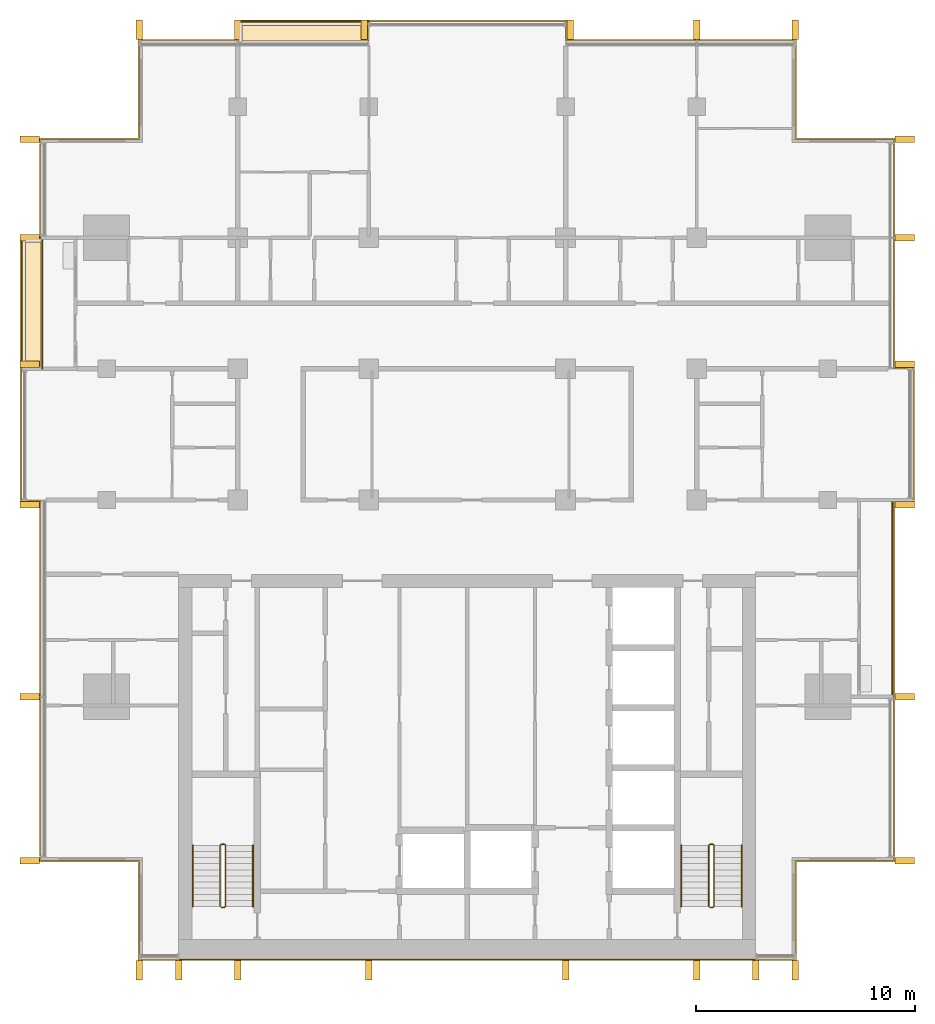
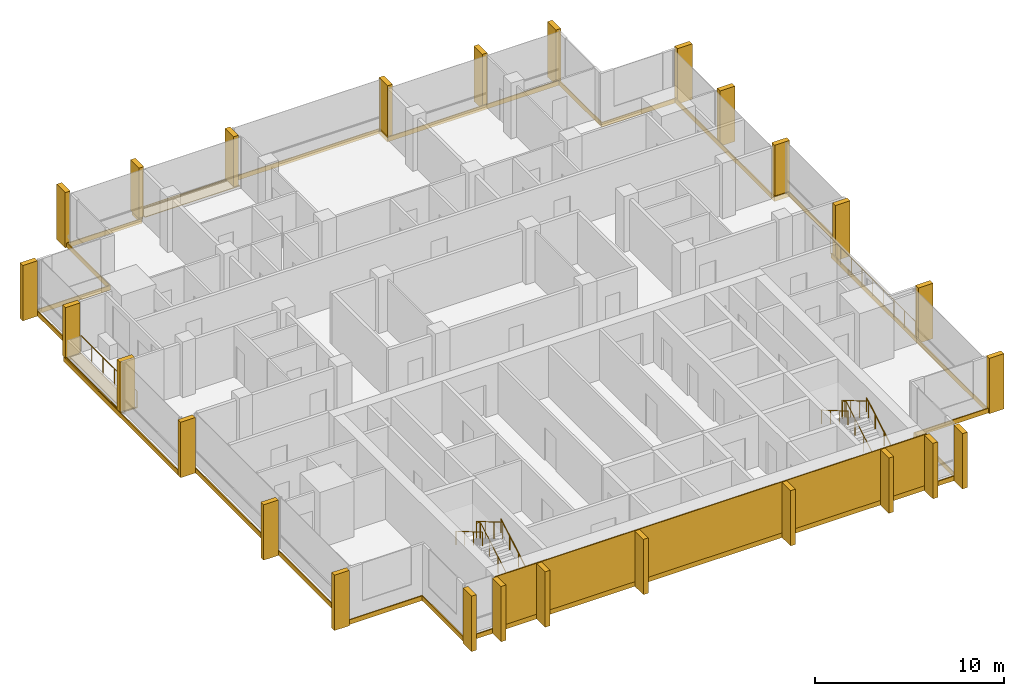
# One storey, part 16 of 16: 26 shading devices, 9 coverings, 8 railings.
"""IFC4 building model written with IfcOpenShell, lengths in metres."""

from ifc_helpers import new_model, si_unit, direction, frame, origin, origin_2d, place, context, subcontext, project, spatial, polyline, rectangle, circle, outline, extrude, material, layer, layer_set, type_object, element, save


model = new_model("IFC4")

# Units and contexts
model_context = context("Model", 3, precision=1e-05, world=origin(), true_north=direction((0.0, 1.0)))
body_context = subcontext(model_context, "Body", "Model", "MODEL_VIEW")
ifc_project = project(units=[si_unit("LENGTHUNIT", "METRE"), si_unit("AREAUNIT", "SQUARE_METRE"), si_unit("VOLUMEUNIT", "CUBIC_METRE"), si_unit("PLANEANGLEUNIT", "RADIAN"), si_unit("MASSUNIT", "GRAM", prefix="KILO")], contexts=[model_context])

# Site, building, storey
site_placement = place(None, origin())
site = spatial("IfcSite", under=ifc_project, at=site_placement, CompositionType="ELEMENT")
building_placement = place(site_placement, origin())
building = spatial("IfcBuilding", under=site, at=building_placement, Name="Finial Court Residences", CompositionType="ELEMENT")
storey_placement = place(building_placement, frame((0.0, 0.0, 223.10009765625)))
storey = spatial("IfcBuildingStorey", under=building, at=storey_placement, Name="L56", CompositionType="ELEMENT", Elevation=223.10009765625)

# Railings
ifc_material_1 = material(Name="Bronze anodised aluminium", Category="aluminium")
railing_type_1 = type_object("IfcRailingType", Name="Balcony guard 1100", PredefinedType="GUARDRAIL", material=ifc_material_1)
railing_1_placement = place(storey_placement, frame((19.449951171875, -13.5, 0.0)))
element("IfcRailing", 1, at=railing_1_placement, inside=storey, type_object=railing_type_1, Name="E-L56-BALE2-R", PredefinedType="GUARDRAIL", context=body_context, shape_type="SweptSolid", body=[
    extrude(circle(Radius=0.02392578125, at=origin_2d()), frame((0.0, 0.0, 1.076171875), z_axis=(0.0, 1.0, 0.0), x_axis=(-1.0, 0.0, 0.0)), (0.0, 0.0, 1.0), 9.0),
    extrude(circle(Radius=0.02099609375, at=origin_2d()), origin(), (0.0, 0.0, 1.0), 1.052001953125),
    extrude(circle(Radius=0.02099609375, at=origin_2d()), frame((0.0, 1.125, 0.0)), (0.0, 0.0, 1.0), 1.052001953125),
    extrude(circle(Radius=0.02099609375, at=origin_2d()), frame((0.0, 2.25, 0.0)), (0.0, 0.0, 1.0), 1.052001953125),
    extrude(circle(Radius=0.02099609375, at=origin_2d()), frame((0.0, 3.375, 0.0)), (0.0, 0.0, 1.0), 1.052001953125),
    extrude(circle(Radius=0.02099609375, at=origin_2d()), frame((0.0, 4.5, 0.0)), (0.0, 0.0, 1.0), 1.052001953125),
    extrude(circle(Radius=0.02099609375, at=origin_2d()), frame((0.0, 5.625, 0.0)), (0.0, 0.0, 1.0), 1.052001953125),
    extrude(circle(Radius=0.02099609375, at=origin_2d()), frame((0.0, 6.75, 0.0)), (0.0, 0.0, 1.0), 1.052001953125),
    extrude(circle(Radius=0.02099609375, at=origin_2d()), frame((0.0, 7.875, 0.0)), (0.0, 0.0, 1.0), 1.052001953125),
    extrude(circle(Radius=0.02099609375, at=origin_2d()), frame((0.0, 9.0, 0.0)), (0.0, 0.0, 1.0), 1.052001953125),
])
railing_2_placement = place(storey_placement, frame((-19.449951171875, 1.5, 0.0)))
element("IfcRailing", 2, at=railing_2_placement, inside=storey, type_object=railing_type_1, Name="E-L56-BALW4-R", PredefinedType="GUARDRAIL", context=body_context, shape_type="SweptSolid", body=[
    extrude(circle(Radius=0.02392578125, at=origin_2d()), frame((0.0, 0.0, 1.076171875), z_axis=(0.0, 1.0, 0.0), x_axis=(-1.0, 0.0, 0.0)), (0.0, 0.0, 1.0), 6.0),
    extrude(circle(Radius=0.02099609375, at=origin_2d()), origin(), (0.0, 0.0, 1.0), 1.052001953125),
    extrude(circle(Radius=0.02099609375, at=origin_2d()), frame((0.0, 1.199951171875, 0.0)), (0.0, 0.0, 1.0), 1.052001953125),
    extrude(circle(Radius=0.02099609375, at=origin_2d()), frame((0.0, 2.39990234375, 0.0)), (0.0, 0.0, 1.0), 1.052001953125),
    extrude(circle(Radius=0.02099609375, at=origin_2d()), frame((0.0, 3.60009765625, 0.0)), (0.0, 0.0, 1.0), 1.052001953125),
    extrude(circle(Radius=0.02099609375, at=origin_2d()), frame((0.0, 4.800048828125, 0.0)), (0.0, 0.0, 1.0), 1.052001953125),
    extrude(circle(Radius=0.02099609375, at=origin_2d()), frame((0.0, 6.0, 0.0)), (0.0, 0.0, 1.0), 1.052001953125),
])

# Coverings
ifc_material_2 = material(Name="Natural limestone", Category="masonry")
ifc_layer_1 = layer(ifc_material_2, 0.06005859375)
ifc_layer_set_1 = layer_set([ifc_layer_1], Name="Limestone cladding to the blind core face 60")
covering_type_1 = type_object("IfcCoveringType", Name="Limestone cladding to the blind core face 60", PredefinedType="CLADDING", material=ifc_layer_set_1)
covering_1_placement = place(storey_placement, origin())
element("IfcCovering", 3, at=covering_1_placement, inside=storey, type_object=covering_type_1, Name="E-L56-CLAD1", PredefinedType="CLADDING", context=body_context, shape_type="SweptSolid", body=[
    extrude(outline(polyline([(-10.5, -25.56005859375), (-10.5, -25.5), (-13.199951171875, -25.5), (-13.199951171875, -25.56005859375), (-10.5, -25.56005859375)])), origin(), (0.0, 0.0, 1.0), 3.2998046875),
])
covering_2_placement = place(storey_placement, origin())
element("IfcCovering", 4, at=covering_2_placement, inside=storey, type_object=covering_type_1, Name="E-L56-CLAD2", PredefinedType="CLADDING", context=body_context, shape_type="SweptSolid", body=[
    extrude(outline(polyline([(-4.5, -25.56005859375), (-4.5, -25.5), (-10.5, -25.5), (-10.5, -25.56005859375), (-4.5, -25.56005859375)])), origin(), (0.0, 0.0, 1.0), 3.2998046875),
])
covering_3_placement = place(storey_placement, origin())
element("IfcCovering", 5, at=covering_3_placement, inside=storey, type_object=covering_type_1, Name="E-L56-CLAD3", PredefinedType="CLADDING", context=body_context, shape_type="SweptSolid", body=[
    extrude(outline(polyline([(4.5, -25.56005859375), (4.5, -25.5), (-4.5, -25.5), (-4.5, -25.56005859375), (4.5, -25.56005859375)])), origin(), (0.0, 0.0, 1.0), 3.2998046875),
])
covering_4_placement = place(storey_placement, origin())
element("IfcCovering", 6, at=covering_4_placement, inside=storey, type_object=covering_type_1, Name="E-L56-CLAD4", PredefinedType="CLADDING", context=body_context, shape_type="SweptSolid", body=[
    extrude(outline(polyline([(10.5, -25.56005859375), (10.5, -25.5), (4.5, -25.5), (4.5, -25.56005859375), (10.5, -25.56005859375)])), origin(), (0.0, 0.0, 1.0), 3.2998046875),
])
covering_5_placement = place(storey_placement, origin())
element("IfcCovering", 7, at=covering_5_placement, inside=storey, type_object=covering_type_1, Name="E-L56-CLAD5", PredefinedType="CLADDING", context=body_context, shape_type="SweptSolid", body=[
    extrude(outline(polyline([(13.199951171875, -25.56005859375), (13.199951171875, -25.5), (10.5, -25.5), (10.5, -25.56005859375), (13.199951171875, -25.56005859375)])), origin(), (0.0, 0.0, 1.0), 3.2998046875),
])

# Shading devices
shading_device_type = type_object("IfcShadingDeviceType", Name="Limestone fin 300 x 900", PredefinedType="USERDEFINED", material=ifc_material_2)
shading_device_1_placement = place(storey_placement, frame((-15.0, 17.010009765625, -0.300048828125), z_axis=(0.0, 0.0, 1.0), x_axis=(1.0, 0.0, 0.0)))
element("IfcShadingDevice", 8, at=shading_device_1_placement, inside=storey, type_object=shading_device_type, Name="E-L56-FIN-N1", ObjectType="FIN", PredefinedType="USERDEFINED", context=body_context, shape_type="SweptSolid", body=[
    extrude(rectangle(XDim=0.300048828125, YDim=0.89990234375, at=origin_2d()), origin(), (0.0, 0.0, 1.0), 3.580078125),
])
for number, where, z_axis, x_axis, name in (
    (9, (-10.5, 17.010009765625, 0.0400390625), (0.0, 0.0, 1.0), (1.0, 0.0, 0.0), "E-L56-FIN-N2"),
    (10, (-4.7099609375, 17.010009765625, 0.0400390625), (0.0, 0.0, 1.0), (1.0, 0.0, 0.0), "E-L56-FIN-N3"),
):
    element("IfcShadingDevice", number, at=place(storey_placement, frame(where, z_axis=z_axis, x_axis=x_axis)), inside=storey, type_object=shading_device_type, Name=name, ObjectType="FIN", PredefinedType="USERDEFINED", context=body_context, shape_type="SweptSolid", body=[
        extrude(rectangle(XDim=0.300048828125, YDim=0.89990234375, at=origin_2d()), origin(), (0.0, 0.0, 1.0), 3.239990234375),
    ])
for number, where, z_axis, x_axis, name in (
    (11, (4.7099609375, 17.010009765625, -0.300048828125), (0.0, 0.0, 1.0), (1.0, 0.0, 0.0), "E-L56-FIN-N4"),
    (12, (10.5, 17.010009765625, -0.300048828125), (0.0, 0.0, 1.0), (1.0, 0.0, 0.0), "E-L56-FIN-N5"),
    (13, (15.0, 17.010009765625, -0.300048828125), (0.0, 0.0, 1.0), (1.0, 0.0, 0.0), "E-L56-FIN-N6"),
):
    element("IfcShadingDevice", number, at=place(storey_placement, frame(where, z_axis=z_axis, x_axis=x_axis)), inside=storey, type_object=shading_device_type, Name=name, ObjectType="FIN", PredefinedType="USERDEFINED", context=body_context, shape_type="SweptSolid", body=[
        extrude(rectangle(XDim=0.300048828125, YDim=0.89990234375, at=origin_2d()), origin(), (0.0, 0.0, 1.0), 3.580078125),
    ])
for number, where, z_axis, x_axis, name in (
    (14, (20.010009765625, -21.0, -0.300048828125), (0.0, 0.0, 1.0), (1.0, 0.0, 0.0), "E-L56-FIN-E7"),
    (15, (20.010009765625, -13.5, -0.300048828125), (0.0, 0.0, 1.0), (1.0, 0.0, 0.0), "E-L56-FIN-E8"),
    (16, (20.010009765625, -4.7099609375, -0.300048828125), (0.0, 0.0, 1.0), (1.0, 0.0, 0.0), "E-L56-FIN-E9"),
    (17, (20.010009765625, 1.7099609375, -0.300048828125), (0.0, 0.0, 1.0), (1.0, 0.0, 0.0), "E-L56-FIN-E10"),
    (18, (20.010009765625, 7.5, -0.300048828125), (0.0, 0.0, 1.0), (1.0, 0.0, 0.0), "E-L56-FIN-E11"),
    (19, (20.010009765625, 12.0, -0.300048828125), (0.0, 0.0, 1.0), (1.0, 0.0, 0.0), "E-L56-FIN-E12"),
):
    element("IfcShadingDevice", number, at=place(storey_placement, frame(where, z_axis=z_axis, x_axis=x_axis)), inside=storey, type_object=shading_device_type, Name=name, ObjectType="FIN", PredefinedType="USERDEFINED", context=body_context, shape_type="SweptSolid", body=[
        extrude(rectangle(XDim=0.89990234375, YDim=0.300048828125, at=origin_2d()), origin(), (0.0, 0.0, 1.0), 3.580078125),
    ])
for number, where, z_axis, x_axis, name in (
    (20, (-15.0, -26.010009765625, -0.300048828125), (0.0, 0.0, 1.0), (1.0, 0.0, 0.0), "E-L56-FIN-S13"),
    (21, (-13.199951171875, -26.010009765625, -0.300048828125), (0.0, 0.0, 1.0), (1.0, 0.0, 0.0), "E-L56-FIN-S14"),
    (22, (-10.5, -26.010009765625, -0.300048828125), (0.0, 0.0, 1.0), (1.0, 0.0, 0.0), "E-L56-FIN-S15"),
    (23, (-4.5, -26.010009765625, -0.300048828125), (0.0, 0.0, 1.0), (1.0, 0.0, 0.0), "E-L56-FIN-S16"),
    (24, (4.5, -26.010009765625, -0.300048828125), (0.0, 0.0, 1.0), (1.0, 0.0, 0.0), "E-L56-FIN-S17"),
    (25, (10.5, -26.010009765625, -0.300048828125), (0.0, 0.0, 1.0), (1.0, 0.0, 0.0), "E-L56-FIN-S18"),
    (26, (13.199951171875, -26.010009765625, -0.300048828125), (0.0, 0.0, 1.0), (1.0, 0.0, 0.0), "E-L56-FIN-S19"),
    (27, (15.0, -26.010009765625, -0.300048828125), (0.0, 0.0, 1.0), (1.0, 0.0, 0.0), "E-L56-FIN-S20"),
):
    element("IfcShadingDevice", number, at=place(storey_placement, frame(where, z_axis=z_axis, x_axis=x_axis)), inside=storey, type_object=shading_device_type, Name=name, ObjectType="FIN", PredefinedType="USERDEFINED", context=body_context, shape_type="SweptSolid", body=[
        extrude(rectangle(XDim=0.300048828125, YDim=0.89990234375, at=origin_2d()), origin(), (0.0, 0.0, 1.0), 3.580078125),
    ])
for number, where, z_axis, x_axis, name in (
    (28, (-20.010009765625, -21.0, -0.300048828125), (0.0, 0.0, 1.0), (1.0, 0.0, 0.0), "E-L56-FIN-W21"),
    (29, (-20.010009765625, -13.5, -0.300048828125), (0.0, 0.0, 1.0), (1.0, 0.0, 0.0), "E-L56-FIN-W22"),
    (30, (-20.010009765625, -4.7099609375, -0.300048828125), (0.0, 0.0, 1.0), (1.0, 0.0, 0.0), "E-L56-FIN-W23"),
):
    element("IfcShadingDevice", number, at=place(storey_placement, frame(where, z_axis=z_axis, x_axis=x_axis)), inside=storey, type_object=shading_device_type, Name=name, ObjectType="FIN", PredefinedType="USERDEFINED", context=body_context, shape_type="SweptSolid", body=[
        extrude(rectangle(XDim=0.89990234375, YDim=0.300048828125, at=origin_2d()), origin(), (0.0, 0.0, 1.0), 3.580078125),
    ])
for number, where, z_axis, x_axis, name in (
    (31, (-20.010009765625, 1.7099609375, 0.0400390625), (0.0, 0.0, 1.0), (1.0, 0.0, 0.0), "E-L56-FIN-W24"),
    (32, (-20.010009765625, 7.5, 0.0400390625), (0.0, 0.0, 1.0), (1.0, 0.0, 0.0), "E-L56-FIN-W25"),
):
    element("IfcShadingDevice", number, at=place(storey_placement, frame(where, z_axis=z_axis, x_axis=x_axis)), inside=storey, type_object=shading_device_type, Name=name, ObjectType="FIN", PredefinedType="USERDEFINED", context=body_context, shape_type="SweptSolid", body=[
        extrude(rectangle(XDim=0.89990234375, YDim=0.300048828125, at=origin_2d()), origin(), (0.0, 0.0, 1.0), 3.239990234375),
    ])
shading_device_2_placement = place(storey_placement, frame((-20.010009765625, 12.0, -0.300048828125), z_axis=(0.0, 0.0, 1.0), x_axis=(1.0, 0.0, 0.0)))
element("IfcShadingDevice", 33, at=shading_device_2_placement, inside=storey, type_object=shading_device_type, Name="E-L56-FIN-W26", ObjectType="FIN", PredefinedType="USERDEFINED", context=body_context, shape_type="SweptSolid", body=[
    extrude(rectangle(XDim=0.89990234375, YDim=0.300048828125, at=origin_2d()), origin(), (0.0, 0.0, 1.0), 3.580078125),
])

# Coverings
ifc_material_3 = material(Name="Pale limestone", Category="masonry")
ifc_layer_2 = layer(ifc_material_3, 0.06005859375)
ifc_layer_set_2 = layer_set([ifc_layer_2], Name="Pale limestone slab-edge band 60")
covering_type_2 = type_object("IfcCoveringType", Name="Pale limestone slab-edge band 60", PredefinedType="CLADDING", material=ifc_layer_set_2)
covering_6_placement = place(storey_placement, frame((0.0, 0.0, -0.300048828125)))
element("IfcCovering", 34, at=covering_6_placement, inside=storey, type_object=covering_type_2, Name="E-L56-BAND1", PredefinedType="CLADDING", context=body_context, shape_type="SweptSolid", body=[
    extrude(outline(polyline([(15.06005859375, -21.06005859375), (15.06005859375, -25.56005859375), (-15.06005859375, -25.56005859375), (-15.06005859375, -21.06005859375), (-19.56005859375, -21.06005859375), (-19.56005859375, -4.56005859375), (-20.4599609375, -4.56005859375), (-20.4599609375, 7.56005859375), (-19.56005859375, 7.56005859375), (-19.56005859375, 12.06005859375), (-15.06005859375, 12.06005859375), (-15.06005859375, 16.56005859375), (-10.56005859375, 16.56005859375), (-10.56005859375, 17.4599609375), (4.56005859375, 17.4599609375), (4.56005859375, 16.56005859375), (15.06005859375, 16.56005859375), (15.06005859375, 12.06005859375), (19.56005859375, 12.06005859375), (19.56005859375, 1.56005859375), (20.4599609375, 1.56005859375), (20.4599609375, -4.56005859375), (19.56005859375, -4.56005859375), (19.56005859375, -21.06005859375), (15.06005859375, -21.06005859375)]), holes=[polyline([(19.5, -13.5), (19.5, -4.5), (20.39990234375, -4.5), (20.39990234375, 1.5), (19.5, 1.5), (19.5, 12.0), (15.0, 12.0), (15.0, 16.5), (4.5, 16.5), (4.5, 17.39990234375), (-4.5, 17.39990234375), (-10.5, 17.39990234375), (-10.5, 16.5), (-15.0, 16.5), (-15.0, 12.0), (-19.5, 12.0), (-19.5, 7.5), (-20.39990234375, 7.5), (-20.39990234375, 1.5), (-20.39990234375, -4.5), (-19.5, -4.5), (-19.5, -21.0), (-15.0, -21.0), (-15.0, -25.5), (15.0, -25.5), (15.0, -21.0), (19.5, -21.0), (19.5, -13.5)])]), origin(), (0.0, 0.0, 1.0), 0.300048828125),
])
ifc_material_4 = material(Name="Bitumen membrane")
ifc_layer_3 = layer(ifc_material_4, 0.0400390625)
ifc_layer_set_3 = layer_set([ifc_layer_3], Name="Push box roofing, bitumen membrane 40")
covering_type_3 = type_object("IfcCoveringType", Name="Push box roofing, bitumen membrane 40", PredefinedType="ROOFING", material=ifc_layer_set_3)
covering_7_placement = place(storey_placement, origin())
element("IfcCovering", 35, at=covering_7_placement, inside=storey, type_object=covering_type_3, Name="E-L56-LED1", PredefinedType="ROOFING", context=body_context, shape_type="SweptSolid", body=[
    extrude(outline(polyline([(-19.5, 1.5), (-20.39990234375, 1.5), (-20.39990234375, 7.5), (-19.5, 7.5), (-19.5, 1.5)]), holes=[polyline([(-20.35009765625, 7.449951171875), (-20.35009765625, 1.510009765625), (-20.199951171875, 1.510009765625), (-20.199951171875, 7.300048828125), (-19.510009765625, 7.300048828125), (-19.510009765625, 7.449951171875), (-20.199951171875, 7.449951171875), (-20.35009765625, 7.449951171875)])]), origin(), (0.0, 0.0, 1.0), 0.039794921875),
])
covering_8_placement = place(storey_placement, origin())
element("IfcCovering", 36, at=covering_8_placement, inside=storey, type_object=covering_type_3, Name="E-L56-LED2", PredefinedType="ROOFING", context=body_context, shape_type="SweptSolid", body=[
    extrude(outline(polyline([(-10.300048828125, 16.5), (-10.300048828125, 17.199951171875), (-4.5, 17.199951171875), (-4.5, 16.5), (-10.300048828125, 16.5)])), origin(), (0.0, 0.0, 1.0), 0.039794921875),
])
covering_9_placement = place(storey_placement, origin())
element("IfcCovering", 37, at=covering_9_placement, inside=storey, type_object=covering_type_3, Name="E-L56-LED2b", PredefinedType="ROOFING", context=body_context, shape_type="SweptSolid", body=[
    extrude(outline(polyline([(-10.5, 16.5), (-10.5, 17.39990234375), (-4.5, 17.39990234375), (-4.5, 17.35009765625), (-10.300048828125, 17.35009765625), (-10.300048828125, 17.35009765625), (-10.449951171875, 17.35009765625), (-10.449951171875, 16.5), (-10.5, 16.5)])), origin(), (0.0, 0.0, 1.0), 0.039794921875),
])

# Railings
ifc_material_5 = material(Name="Stainless steel railing", Category="steel")
railing_type_2 = type_object("IfcRailingType", Name="Stair guard 1100", PredefinedType="GUARDRAIL", material=ifc_material_5)
railing_3_placement = place(storey_placement, frame((-11.10009765625, -23.14990234375, 0.0)))
element("IfcRailing", 38, at=railing_3_placement, inside=storey, type_object=railing_type_2, Name="L56 ST-1 stair guard 1", PredefinedType="GUARDRAIL", context=body_context, shape_type="SweptSolid", body=[
    extrude(circle(Radius=0.02392578125, at=origin_2d()), frame((0.0, 0.0, 1.076171875), z_axis=(-1.0, 0.0, 0.0), x_axis=(0.0, -1.0, 0.0)), (0.0, 0.0, 1.0), 0.14990234375),
    extrude(circle(Radius=0.02392578125, at=origin_2d()), frame((-0.14990234375, 0.0, 1.076171875), z_axis=(0.760004195007, 0.189305074214, 0.621737253547), x_axis=(-0.241699205484, 0.970351222016, 0.0)), (0.0, 0.0, 1.0), 0.26318359375),
    extrude(circle(Radius=0.02392578125, at=origin_2d()), frame((0.050048828125, 0.0498046875, 1.23974609375), z_axis=(0.0, 0.863393664356, 0.504530851732), x_axis=(-1.0, 0.0, 0.0)), (0.0, 0.0, 1.0), 3.2431640625),
    extrude(circle(Radius=0.02392578125, at=origin_2d()), frame((0.050048828125, 2.849853515625, 2.8759765625), z_axis=(-0.707106781187, 0.707106781187, 0.0), x_axis=(-0.707106781187, -0.707106781187, 0.0)), (0.0, 0.0, 1.0), 0.07080078125),
    extrude(circle(Radius=0.02392578125, at=origin_2d()), frame((0.0, 2.89990234375, 2.8759765625), z_axis=(-1.0, 0.0, 0.0), x_axis=(0.0, -1.0, 0.0)), (0.0, 0.0, 1.0), 0.14990234375),
    extrude(circle(Radius=0.02392578125, at=origin_2d()), frame((-0.14990234375, 2.89990234375, 2.8759765625), z_axis=(-0.280456126637, -0.280456126637, 0.917980785237), x_axis=(0.707106781187, -0.707106781187, 0.0)), (0.0, 0.0, 1.0), 0.178466796875),
    extrude(circle(Radius=0.02392578125, at=origin_2d()), frame((-0.199951171875, 2.849853515625, 3.03955078125), z_axis=(0.0, -0.863393664356, 0.504530851732), x_axis=(1.0, 0.0, 0.0)), (0.0, 0.0, 1.0), 3.2431640625),
    extrude(circle(Radius=0.02099609375, at=origin_2d()), origin(), (0.0, 0.0, 1.0), 1.052001953125),
    extrude(circle(Radius=0.02099609375, at=origin_2d()), frame((-0.14990234375, 0.0, 0.0)), (0.0, 0.0, 1.0), 1.052001953125),
    extrude(circle(Radius=0.02099609375, at=origin_2d()), frame((0.050048828125, 0.0498046875, 0.16357421875)), (0.0, 0.0, 1.0), 1.052001953125),
    extrude(circle(Radius=0.02099609375, at=origin_2d()), frame((0.050048828125, 0.983154296875, 0.708984375)), (0.0, 0.0, 1.0), 1.052001953125),
    extrude(circle(Radius=0.02099609375, at=origin_2d()), frame((0.050048828125, 1.91650390625, 1.25439453125)), (0.0, 0.0, 1.0), 1.052001953125),
    extrude(circle(Radius=0.02099609375, at=origin_2d()), frame((0.050048828125, 2.849853515625, 1.7998046875)), (0.0, 0.0, 1.0), 1.052001953125),
    extrude(circle(Radius=0.02099609375, at=origin_2d()), frame((0.0, 2.89990234375, 1.7998046875)), (0.0, 0.0, 1.0), 1.052001953125),
    extrude(circle(Radius=0.02099609375, at=origin_2d()), frame((-0.14990234375, 2.89990234375, 1.7998046875)), (0.0, 0.0, 1.0), 1.052001953125),
    extrude(circle(Radius=0.02099609375, at=origin_2d()), frame((-0.199951171875, 2.849853515625, 1.963623046875)), (0.0, 0.0, 1.0), 1.052001953125),
    extrude(circle(Radius=0.02099609375, at=origin_2d()), frame((-0.199951171875, 1.91650390625, 2.509033203125)), (0.0, 0.0, 1.0), 1.052001953125),
    extrude(circle(Radius=0.02099609375, at=origin_2d()), frame((-0.199951171875, 0.983154296875, 3.054443359375)), (0.0, 0.0, 1.0), 1.052001953125),
    extrude(circle(Radius=0.02099609375, at=origin_2d()), frame((-0.199951171875, 0.0498046875, 3.599853515625)), (0.0, 0.0, 1.0), 1.052001953125),
])
railing_4_placement = place(storey_placement, frame((11.25, -23.14990234375, 0.0)))
element("IfcRailing", 39, at=railing_4_placement, inside=storey, type_object=railing_type_2, Name="L56 ST-2 stair guard 1", PredefinedType="GUARDRAIL", context=body_context, shape_type="SweptSolid", body=[
    extrude(circle(Radius=0.02392578125, at=origin_2d()), frame((0.0, 0.0, 1.076171875), z_axis=(-1.0, 0.0, 0.0), x_axis=(0.0, -1.0, 0.0)), (0.0, 0.0, 1.0), 0.14990234375),
    extrude(circle(Radius=0.02392578125, at=origin_2d()), frame((-0.14990234375, 0.0, 1.076171875), z_axis=(0.760004195007, 0.189305074214, 0.621737253547), x_axis=(-0.241699205484, 0.970351222016, 0.0)), (0.0, 0.0, 1.0), 0.26318359375),
    extrude(circle(Radius=0.02392578125, at=origin_2d()), frame((0.050048828125, 0.0498046875, 1.23974609375), z_axis=(0.0, 0.863393664356, 0.504530851732), x_axis=(-1.0, 0.0, 0.0)), (0.0, 0.0, 1.0), 3.2431640625),
    extrude(circle(Radius=0.02392578125, at=origin_2d()), frame((0.050048828125, 2.849853515625, 2.8759765625), z_axis=(-0.707106781187, 0.707106781187, 0.0), x_axis=(-0.707106781187, -0.707106781187, 0.0)), (0.0, 0.0, 1.0), 0.07080078125),
    extrude(circle(Radius=0.02392578125, at=origin_2d()), frame((0.0, 2.89990234375, 2.8759765625), z_axis=(-1.0, 0.0, 0.0), x_axis=(0.0, -1.0, 0.0)), (0.0, 0.0, 1.0), 0.14990234375),
    extrude(circle(Radius=0.02392578125, at=origin_2d()), frame((-0.14990234375, 2.89990234375, 2.8759765625), z_axis=(-0.280456126637, -0.280456126637, 0.917980785237), x_axis=(0.707106781187, -0.707106781187, 0.0)), (0.0, 0.0, 1.0), 0.178466796875),
    extrude(circle(Radius=0.02392578125, at=origin_2d()), frame((-0.199951171875, 2.849853515625, 3.03955078125), z_axis=(0.0, -0.863393664356, 0.504530851732), x_axis=(1.0, 0.0, 0.0)), (0.0, 0.0, 1.0), 3.2431640625),
    extrude(circle(Radius=0.02099609375, at=origin_2d()), origin(), (0.0, 0.0, 1.0), 1.052001953125),
    extrude(circle(Radius=0.02099609375, at=origin_2d()), frame((-0.14990234375, 0.0, 0.0)), (0.0, 0.0, 1.0), 1.052001953125),
    extrude(circle(Radius=0.02099609375, at=origin_2d()), frame((0.050048828125, 0.0498046875, 0.16357421875)), (0.0, 0.0, 1.0), 1.052001953125),
    extrude(circle(Radius=0.02099609375, at=origin_2d()), frame((0.050048828125, 0.983154296875, 0.708984375)), (0.0, 0.0, 1.0), 1.052001953125),
    extrude(circle(Radius=0.02099609375, at=origin_2d()), frame((0.050048828125, 1.91650390625, 1.25439453125)), (0.0, 0.0, 1.0), 1.052001953125),
    extrude(circle(Radius=0.02099609375, at=origin_2d()), frame((0.050048828125, 2.849853515625, 1.7998046875)), (0.0, 0.0, 1.0), 1.052001953125),
    extrude(circle(Radius=0.02099609375, at=origin_2d()), frame((0.0, 2.89990234375, 1.7998046875)), (0.0, 0.0, 1.0), 1.052001953125),
    extrude(circle(Radius=0.02099609375, at=origin_2d()), frame((-0.14990234375, 2.89990234375, 1.7998046875)), (0.0, 0.0, 1.0), 1.052001953125),
    extrude(circle(Radius=0.02099609375, at=origin_2d()), frame((-0.199951171875, 2.849853515625, 1.963623046875)), (0.0, 0.0, 1.0), 1.052001953125),
    extrude(circle(Radius=0.02099609375, at=origin_2d()), frame((-0.199951171875, 1.91650390625, 2.509033203125)), (0.0, 0.0, 1.0), 1.052001953125),
    extrude(circle(Radius=0.02099609375, at=origin_2d()), frame((-0.199951171875, 0.983154296875, 3.054443359375)), (0.0, 0.0, 1.0), 1.052001953125),
    extrude(circle(Radius=0.02099609375, at=origin_2d()), frame((-0.199951171875, 0.0498046875, 3.599853515625)), (0.0, 0.0, 1.0), 1.052001953125),
])
railing_type_3 = type_object("IfcRailingType", Name="Stair handrail 900", PredefinedType="HANDRAIL", material=ifc_material_5)
railing_5_placement = place(storey_placement, frame((-9.800048828125, -23.10009765625, 0.16357421875)))
element("IfcRailing", 40, at=railing_5_placement, inside=storey, type_object=railing_type_3, Name="L56 ST-1 stair handrail 1", PredefinedType="HANDRAIL", context=body_context, shape_type="SweptSolid", body=[
    extrude(circle(Radius=0.02392578125, at=origin_2d()), frame((0.0, 0.0, 0.8759765625), z_axis=(0.0, 0.863393664356, 0.504530851732), x_axis=(-1.0, 0.0, 0.0)), (0.0, 0.0, 1.0), 3.2431640625),
    extrude(circle(Radius=0.02099609375, at=origin_2d()), origin(), (0.0, 0.0, 1.0), 0.851806640625),
    extrude(circle(Radius=0.02099609375, at=origin_2d()), frame((0.0, 0.933349609375, 0.54541015625)), (0.0, 0.0, 1.0), 0.851806640625),
    extrude(circle(Radius=0.02099609375, at=origin_2d()), frame((0.0, 1.86669921875, 1.0908203125)), (0.0, 0.0, 1.0), 0.851806640625),
    extrude(circle(Radius=0.02099609375, at=origin_2d()), frame((0.0, 2.800048828125, 1.63623046875)), (0.0, 0.0, 1.0), 0.851806640625),
])
railing_6_placement = place(storey_placement, frame((-12.550048828125, -20.300048828125, 1.963623046875)))
element("IfcRailing", 41, at=railing_6_placement, inside=storey, type_object=railing_type_3, Name="L56 ST-1 stair handrail 2", PredefinedType="HANDRAIL", context=body_context, shape_type="SweptSolid", body=[
    extrude(circle(Radius=0.02392578125, at=origin_2d()), frame((0.0, 0.0, 0.8759765625), z_axis=(0.0, -0.863393664356, 0.504530851732), x_axis=(1.0, 0.0, 0.0)), (0.0, 0.0, 1.0), 3.2431640625),
    extrude(circle(Radius=0.02099609375, at=origin_2d()), origin(), (0.0, 0.0, 1.0), 0.851806640625),
    extrude(circle(Radius=0.02099609375, at=origin_2d()), frame((0.0, -0.933349609375, 0.54541015625)), (0.0, 0.0, 1.0), 0.851806640625),
    extrude(circle(Radius=0.02099609375, at=origin_2d()), frame((0.0, -1.86669921875, 1.0908203125)), (0.0, 0.0, 1.0), 0.851806640625),
    extrude(circle(Radius=0.02099609375, at=origin_2d()), frame((0.0, -2.800048828125, 1.63623046875)), (0.0, 0.0, 1.0), 0.851806640625),
])
railing_7_placement = place(storey_placement, frame((12.550048828125, -23.10009765625, 0.16357421875)))
element("IfcRailing", 42, at=railing_7_placement, inside=storey, type_object=railing_type_3, Name="L56 ST-2 stair handrail 1", PredefinedType="HANDRAIL", context=body_context, shape_type="SweptSolid", body=[
    extrude(circle(Radius=0.02392578125, at=origin_2d()), frame((0.0, 0.0, 0.8759765625), z_axis=(0.0, 0.863393664356, 0.504530851732), x_axis=(-1.0, 0.0, 0.0)), (0.0, 0.0, 1.0), 3.2431640625),
    extrude(circle(Radius=0.02099609375, at=origin_2d()), origin(), (0.0, 0.0, 1.0), 0.851806640625),
    extrude(circle(Radius=0.02099609375, at=origin_2d()), frame((0.0, 0.933349609375, 0.54541015625)), (0.0, 0.0, 1.0), 0.851806640625),
    extrude(circle(Radius=0.02099609375, at=origin_2d()), frame((0.0, 1.86669921875, 1.0908203125)), (0.0, 0.0, 1.0), 0.851806640625),
    extrude(circle(Radius=0.02099609375, at=origin_2d()), frame((0.0, 2.800048828125, 1.63623046875)), (0.0, 0.0, 1.0), 0.851806640625),
])
railing_8_placement = place(storey_placement, frame((9.800048828125, -20.300048828125, 1.963623046875)))
element("IfcRailing", 43, at=railing_8_placement, inside=storey, type_object=railing_type_3, Name="L56 ST-2 stair handrail 2", PredefinedType="HANDRAIL", context=body_context, shape_type="SweptSolid", body=[
    extrude(circle(Radius=0.02392578125, at=origin_2d()), frame((0.0, 0.0, 0.8759765625), z_axis=(0.0, -0.863393664356, 0.504530851732), x_axis=(1.0, 0.0, 0.0)), (0.0, 0.0, 1.0), 3.2431640625),
    extrude(circle(Radius=0.02099609375, at=origin_2d()), origin(), (0.0, 0.0, 1.0), 0.851806640625),
    extrude(circle(Radius=0.02099609375, at=origin_2d()), frame((0.0, -0.933349609375, 0.54541015625)), (0.0, 0.0, 1.0), 0.851806640625),
    extrude(circle(Radius=0.02099609375, at=origin_2d()), frame((0.0, -1.86669921875, 1.0908203125)), (0.0, 0.0, 1.0), 0.851806640625),
    extrude(circle(Radius=0.02099609375, at=origin_2d()), frame((0.0, -2.800048828125, 1.63623046875)), (0.0, 0.0, 1.0), 0.851806640625),
])

save(model, "model.ifc")
